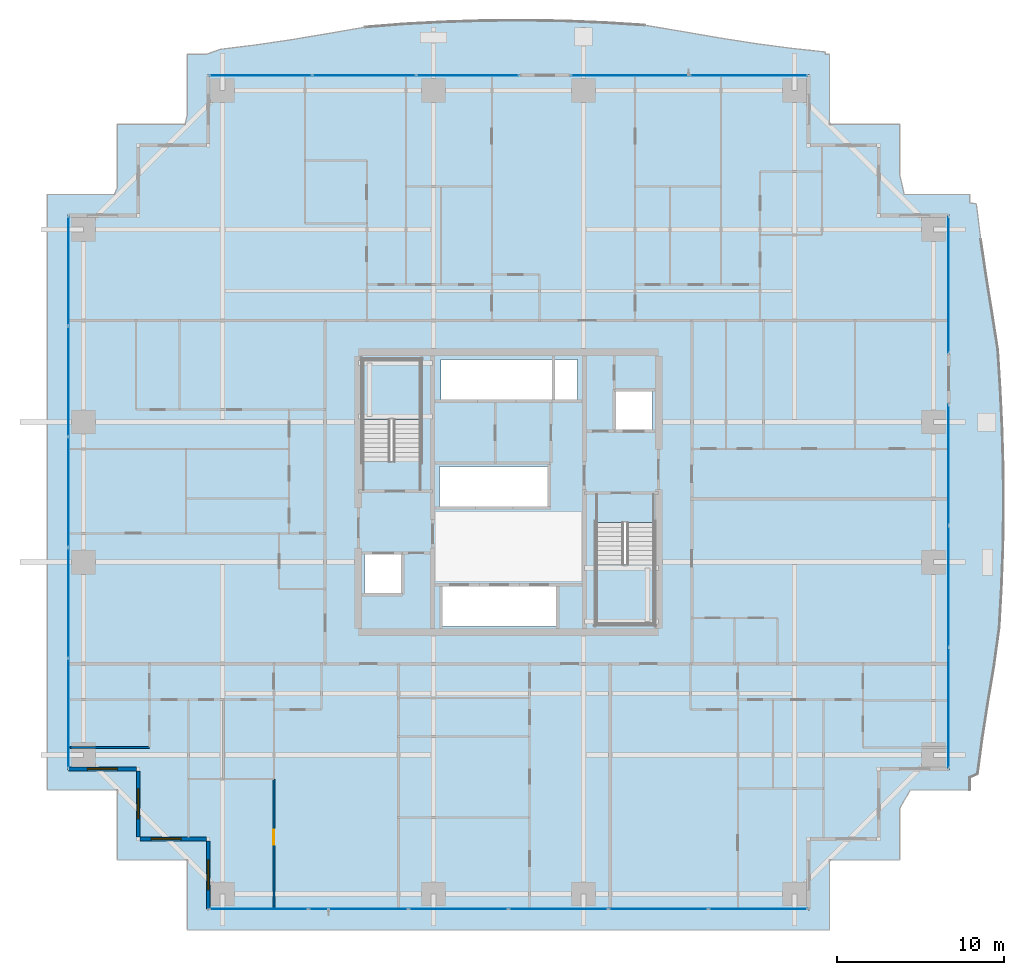
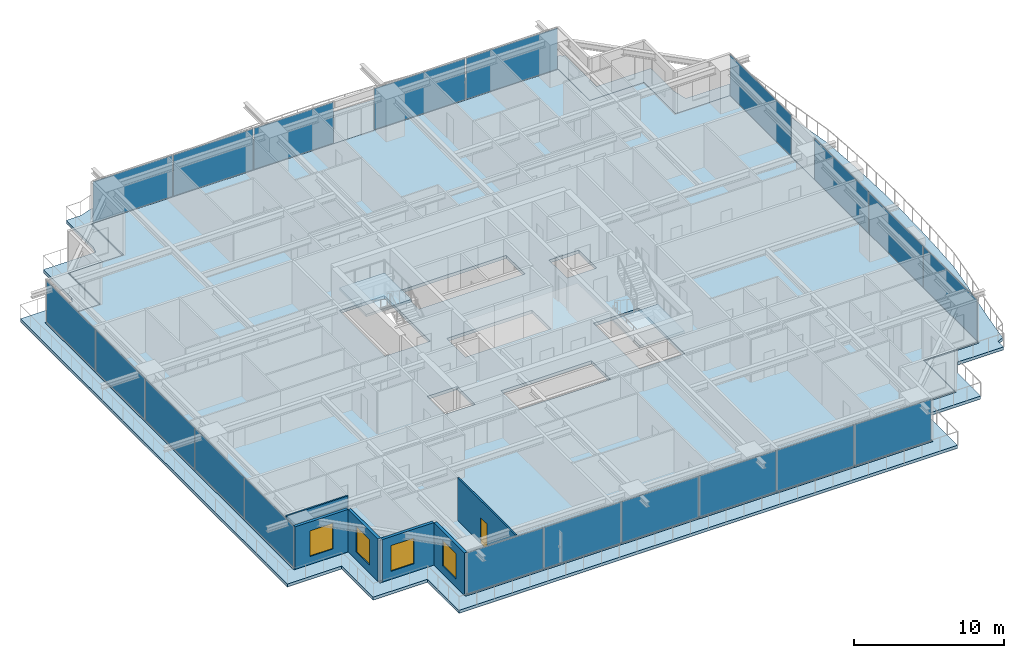
# One storey, part 25 of 38: 20 plates, 6 walls, 4 slabs, 4 windows, 1 door, 5 openings, 8 elements without a shape of their own.
"""IFC4 building model written with IfcOpenShell, lengths in metres."""

import ifcopenshell
import ifcopenshell.guid

model = None  # the IFC model being written
_history = None  # IfcOwnerHistory: only IFC2X3 demands one
_inside = {}  # id of a spatial element -> (the spatial element, [elements in it])
_under = {}  # id of a project, library or spatial element -> (it, [spatial elements below it])
_declared = {}  # id of a project -> (the project, [libraries it declares])
_typed = {}  # id of a type object -> (the type object, [elements of that type])
_made_of = {}  # id of a material, layer set ... -> (it, [elements and type objects made of it])


def new_model(schema):
    """Start an empty IFC model of exactly this schema.

    Asked for "IFC4X3", IfcOpenShell would pick the latest addendum, in which some entities
    have other attributes; the version numbers below select the first issue.
    IFC2X3 requires an IfcOwnerHistory on every rooted entity: one is made here for all.
    """
    global model, _history
    if schema == "IFC4X3":
        model = ifcopenshell.file(schema_version=(4, 3, 0, 0))
    else:
        model = ifcopenshell.file(schema=schema)
    _inside.clear()
    _under.clear()
    _declared.clear()
    _typed.clear()
    _made_of.clear()
    _history = None
    if model.schema == "IFC2X3":
        org = make("IfcOrganization", Name="unknown")
        user = make(
            "IfcPersonAndOrganization",
            ThePerson=make("IfcPerson", FamilyName="unknown"),
            TheOrganization=org,
        )
        app = make(
            "IfcApplication",
            ApplicationDeveloper=org,
            Version="unknown",
            ApplicationFullName="unknown",
            ApplicationIdentifier="unknown",
        )
        _history = make(
            "IfcOwnerHistory",
            OwningUser=user,
            OwningApplication=app,
            ChangeAction="ADDED",
            CreationDate=0,
        )
    return model


def make(cls, **values):
    """One entity of the class cls with the attributes given. An attribute that is None is left unset."""
    return model.create_entity(
        cls, **{name: value for name, value in values.items() if value is not None}
    )


def rooted(cls, **values):
    """An entity with a GlobalId (a new one), such as an element, a storey or a relation."""
    return make(cls, GlobalId=ifcopenshell.guid.new(), OwnerHistory=_history, **values)


def si_unit(unit_type, name, prefix=None):
    """IfcSIUnit, for example si_unit("LENGTHUNIT", "METRE", prefix="MILLI")."""
    return make("IfcSIUnit", UnitType=unit_type, Prefix=prefix, Name=name)


def assignment(units):
    """IfcUnitAssignment: the units of a project."""
    return None if units is None else make("IfcUnitAssignment", Units=units)


def point(xyz):
    """IfcCartesianPoint."""
    return None if xyz is None else make("IfcCartesianPoint", Coordinates=xyz)


def direction(xyz):
    """IfcDirection."""
    return None if xyz is None else make("IfcDirection", DirectionRatios=xyz)


def frame(location, z_axis=None, x_axis=None):
    """IfcAxis2Placement3D, a coordinate frame: its origin and axes. An axis left out is left unset."""
    return make(
        "IfcAxis2Placement3D",
        Location=point(location),
        Axis=direction(z_axis),
        RefDirection=direction(x_axis),
    )


def frame_2d(location, x_axis=None):
    """IfcAxis2Placement2D, a coordinate frame in the plane: its origin and x axis."""
    return make(
        "IfcAxis2Placement2D", Location=point(location), RefDirection=direction(x_axis)
    )


def origin():
    """The frame at (0, 0, 0) with its axes left unset."""
    return frame((0.0, 0.0, 0.0))


def origin_2d():
    """The frame at (0, 0) in the plane with its x axis left unset."""
    return frame_2d((0.0, 0.0))


def place(relative_to, where):
    """IfcLocalPlacement: puts the frame where relative to a parent placement (None: the world)."""
    return make(
        "IfcLocalPlacement", PlacementRelTo=relative_to, RelativePlacement=where
    )


def context(
    kind, dimensions, precision=None, world=None, true_north=None, identifier=None
):
    """IfcGeometricRepresentationContext, for example the 3D "Model" context."""
    return make(
        "IfcGeometricRepresentationContext",
        ContextIdentifier=identifier,
        ContextType=kind,
        CoordinateSpaceDimension=dimensions,
        Precision=precision,
        WorldCoordinateSystem=world,
        TrueNorth=true_north,
    )


def subcontext(parent, identifier, kind, view, scale=None):
    """IfcGeometricRepresentationSubContext, for example "Body" below "Model"."""
    return make(
        "IfcGeometricRepresentationSubContext",
        ContextIdentifier=identifier,
        ContextType=kind,
        ParentContext=parent,
        TargetScale=scale,
        TargetView=view,
    )


def project(units=None, contexts=None):
    """IfcProject with its units and contexts."""
    return rooted(
        "IfcProject",
        Name="project",
        RepresentationContexts=contexts,
        UnitsInContext=assignment(units),
    )


def spatial(cls, under=None, at=None, **own):
    """A site, building, storey or space (cls), placed at a placement, below another one or the project."""
    s = rooted(cls, ObjectPlacement=at, **own)
    if under is not None:
        _under.setdefault(under.id(), (under, []))[1].append(s)
    return s


def polyline(points):
    """IfcPolyline through the points."""
    return make("IfcPolyline", Points=[point(p) for p in points])


def profile(cls, at=None, kind="AREA", **sizes):
    """A parametric profile (cls). Its sizes go by their IFC names, for example OverallWidth=200.0."""
    return make(cls, ProfileType=kind, Position=at, **sizes)


def rectangle(**sizes):
    """IfcRectangleProfileDef."""
    return profile("IfcRectangleProfileDef", **sizes)


def outline(outer, holes=None, kind="AREA"):
    """IfcArbitraryClosedProfileDef: a profile drawn as a closed curve; with holes, ...WithVoids."""
    if holes is None:
        return make("IfcArbitraryClosedProfileDef", ProfileType=kind, OuterCurve=outer)
    return make(
        "IfcArbitraryProfileDefWithVoids",
        ProfileType=kind,
        OuterCurve=outer,
        InnerCurves=holes,
    )


def extrude(swept, where, along, depth):
    """IfcExtrudedAreaSolid: the profile swept, set in the frame where, extruded along a direction by depth."""
    return make(
        "IfcExtrudedAreaSolid",
        SweptArea=swept,
        Position=where,
        ExtrudedDirection=direction(along),
        Depth=depth,
    )


def shape(context_of_items, identifier, shape_type, items):
    """IfcShapeRepresentation: the items that make up one representation, for example the "Body"."""
    return make(
        "IfcShapeRepresentation",
        ContextOfItems=context_of_items,
        RepresentationIdentifier=identifier,
        RepresentationType=shape_type,
        Items=items,
    )


def source(mapping_origin, context_of_items, identifier, shape_type, items):
    """IfcRepresentationMap: a shape defined once, which mapped items show again and again."""
    return make(
        "IfcRepresentationMap",
        MappingOrigin=mapping_origin,
        MappedRepresentation=shape(context_of_items, identifier, shape_type, items),
    )


def transform(
    local_origin,
    x_axis=None,
    y_axis=None,
    z_axis=None,
    scale=None,
    scale2=None,
    scale3=None,
    uniform=True,
):
    """IfcCartesianTransformationOperator3D, or its non-uniform kind. x_axis, y_axis, z_axis: its Axis1, 2, 3."""
    if uniform:
        return make(
            "IfcCartesianTransformationOperator3D",
            Axis1=direction(x_axis),
            Axis2=direction(y_axis),
            LocalOrigin=point(local_origin),
            Scale=scale,
            Axis3=direction(z_axis),
        )
    return make(
        "IfcCartesianTransformationOperator3DnonUniform",
        Axis1=direction(x_axis),
        Axis2=direction(y_axis),
        LocalOrigin=point(local_origin),
        Scale=scale,
        Axis3=direction(z_axis),
        Scale2=scale2,
        Scale3=scale3,
    )


def mapped(mapping_source, mapping_target):
    """IfcMappedItem: shows the shape of a source again, moved by a transform."""
    return make(
        "IfcMappedItem", MappingSource=mapping_source, MappingTarget=mapping_target
    )


def material(Name=None, Category=None):
    """IfcMaterial."""
    return make("IfcMaterial", Name=Name, Category=Category)


def layer(
    of_material, thickness, ventilated=None, Name=None, Category=None, Priority=None
):
    """IfcMaterialLayer: one layer of a wall or slab, of a material (None: an air gap)."""
    return make(
        "IfcMaterialLayer",
        Material=of_material,
        LayerThickness=thickness,
        IsVentilated=ventilated,
        Name=Name,
        Category=Category,
        Priority=Priority,
    )


def layer_set(layers, Name=None):
    """IfcMaterialLayerSet."""
    return make("IfcMaterialLayerSet", MaterialLayers=layers, LayerSetName=Name)


def made_of(thing, what):
    """Note that an element or type object is made of a material, layer set ...; save() writes the relation."""
    if what is not None:
        _made_of.setdefault(what.id(), (what, []))[1].append(thing)
    return thing


def type_object(cls, material=None, **own):
    """A type object (cls), such as IfcWallType, which elements share."""
    return made_of(rooted(cls, **own), material)


def element(
    cls,
    number,
    at=None,
    inside=None,
    cuts=None,
    type_object=None,
    material=None,
    context=None,
    identifier="Body",
    shape_type=None,
    held_by="IfcProductDefinitionShape",
    body=None,
    shapes=None,
    **own,
):
    """One element of the class cls, such as IfcWall. Its Tag is "e" and its number.

    at: its placement. inside: the storey or other place that contains it. cuts: it is an
    opening in that element (IfcRelVoidsElement). A single representation is given by context,
    identifier, shape_type and body (its items); several are given by shapes. held_by: the class
    of the entity that holds the representations. save() writes the other relations.
    """
    e = rooted(cls, Tag="e%d" % number, ObjectPlacement=at, **own)
    if body is not None:
        shapes = [shape(context, identifier, shape_type, body)]
    if shapes is not None:
        e.Representation = make(held_by, Representations=shapes)
    if inside is not None:
        _inside.setdefault(inside.id(), (inside, []))[1].append(e)
    if cuts is not None:
        rooted(
            "IfcRelVoidsElement", RelatingBuildingElement=cuts, RelatedOpeningElement=e
        )
    if type_object is not None:
        _typed.setdefault(type_object.id(), (type_object, []))[1].append(e)
    return made_of(e, material)


def fill(opening, filler):
    """IfcRelFillsElement: the door or window that sits in an opening."""
    return rooted(
        "IfcRelFillsElement",
        RelatingOpeningElement=opening,
        RelatedBuildingElement=filler,
    )


def aggregate(whole, parts):
    """IfcRelAggregates: a whole, such as a stair, and the parts it consists of."""
    return rooted("IfcRelAggregates", RelatingObject=whole, RelatedObjects=parts)


def save(model, path):
    """Write the relations noted so far, then the file.

    IfcRelAggregates (storeys below a building ...), IfcRelContainedInSpatialStructure (elements
    in a storey), IfcRelDefinesByType, IfcRelAssociatesMaterial and IfcRelDeclares: one each for
    every whole, place, type object, material and project.
    """
    for whole, parts in _under.values():
        aggregate(whole, parts)
    for where, things in _inside.values():
        rooted(
            "IfcRelContainedInSpatialStructure",
            RelatedElements=things,
            RelatingStructure=where,
        )
    for kind, things in _typed.values():
        rooted("IfcRelDefinesByType", RelatedObjects=things, RelatingType=kind)
    for what, things in _made_of.values():
        rooted("IfcRelAssociatesMaterial", RelatedObjects=things, RelatingMaterial=what)
    for by, libraries in _declared.values():
        rooted("IfcRelDeclares", RelatingContext=by, RelatedDefinitions=libraries)
    model.write(path)


model = new_model("IFC4")

# Units and contexts
model_context = context("Model", 3, precision=1e-05, world=origin(), true_north=direction((0.0, 1.0)))
body_context = subcontext(model_context, "Body", "Model", "MODEL_VIEW")
ifc_project = project(units=[si_unit("LENGTHUNIT", "METRE"), si_unit("AREAUNIT", "SQUARE_METRE"), si_unit("VOLUMEUNIT", "CUBIC_METRE"), si_unit("PLANEANGLEUNIT", "RADIAN"), si_unit("MASSUNIT", "GRAM", prefix="KILO")], contexts=[model_context])

# Site, building, storey
site_placement = place(None, origin())
site = spatial("IfcSite", under=ifc_project, at=site_placement, CompositionType="ELEMENT")
building_placement = place(site_placement, origin())
building = spatial("IfcBuilding", under=site, at=building_placement, Name="Serunith Strait Residences", CompositionType="ELEMENT")
storey_placement = place(building_placement, frame((0.0, 0.0, 52.949951171875)))
storey = spatial("IfcBuildingStorey", under=building, at=storey_placement, Name="L12", CompositionType="ELEMENT", Elevation=52.949951171875)

# Slab
ifc_material_1 = material(Name="Concrete C50/60", Category="concrete")
ifc_layer_1 = layer(ifc_material_1, 0.239990234375, Name="Concrete C50/60")
ifc_layer_set_1 = layer_set([ifc_layer_1], Name="Concrete C50/60")
slab_type_1 = type_object("IfcSlabType", Name="SLB-BALC-240", PredefinedType="FLOOR", material=ifc_layer_set_1)
slab_1_placement = place(storey_placement, frame((0.0, 0.0, -0.2900390625)))
element("IfcSlab", 1, at=slab_1_placement, inside=storey, type_object=slab_type_1, Name="L12 Planted Vertical-Forest Balcony Slab", PredefinedType="FLOOR", context=body_context, shape_type="SweptSolid", body=[
    extrude(outline(polyline([(12.989990234375, 47.260009765625), (13.139892578125, 47.822998046875), (13.139892578125, 51.4599609375), (14.2685546875, 51.4599609375), (15.1171875, 51.761474609375), (17.244384765625, 52.0244140625), (19.389892578125, 52.341796875), (21.572021484375, 52.705810546875), (23.808837890625, 53.09326171875), (26.156982421875, 53.279541015625), (28.54541015625, 53.404052734375), (30.957763671875, 53.479736328125), (33.381103515625, 53.497802734375), (35.800048828125, 53.455810546875), (38.2001953125, 53.356201171875), (40.569091796875, 53.208251953125), (42.82666015625, 52.83251953125), (45.017578125, 52.4521484375), (47.16650390625, 52.113525390625), (49.29248046875, 51.830078125), (51.40966796875, 51.602294921875), (51.408447265625, 51.4599609375), (51.659912109375, 51.4599609375), (51.659912109375, 47.260009765625), (55.860107421875, 47.260009765625), (55.860107421875, 44.267333984375), (56.134521484375, 43.06005859375), (60.06005859375, 43.06005859375), (60.06005859375, 42.554931640625), (60.460693359375, 42.489990234375), (60.729248046875, 40.357177734375), (61.045654296875, 38.20263671875), (61.3994140625, 36.0107421875), (61.75048828125, 33.760498046875), (61.899169921875, 31.410888671875), (62.012451171875, 29.032470703125), (62.081298828125, 26.633544921875), (62.09814453125, 24.22509765625), (62.060791015625, 21.820068359375), (61.9716796875, 19.431396484375), (61.837890625, 17.069091796875), (61.5244140625, 14.793212890625), (61.15771484375, 12.59130859375), (60.82275390625, 10.432373046875), (60.53466796875, 8.2998046875), (60.06005859375, 8.0830078125), (60.06005859375, 7.340087890625), (56.501220703125, 7.340087890625), (55.860107421875, 6.223388671875), (55.860107421875, 3.139892578125), (51.659912109375, 3.139892578125), (51.659912109375, -1.06005859375), (13.139892578125, -1.06005859375), (13.139892578125, 3.139892578125), (8.93994140625, 3.139892578125), (8.93994140625, 7.340087890625), (4.739990234375, 7.340087890625), (4.739990234375, 43.06005859375), (8.7587890625, 43.06005859375), (8.93994140625, 43.457763671875), (8.93994140625, 47.260009765625), (12.989990234375, 47.260009765625)]), holes=[polyline([(50.455078125, 0.14501953125), (50.455078125, 4.344970703125), (54.655029296875, 4.344970703125), (54.655029296875, 8.544921875), (58.85498046875, 8.544921875), (58.85498046875, 41.85498046875), (54.655029296875, 41.85498046875), (54.655029296875, 46.054931640625), (50.455078125, 46.054931640625), (50.455078125, 50.2548828125), (14.344970703125, 50.2548828125), (14.344970703125, 46.054931640625), (10.14501953125, 46.054931640625), (10.14501953125, 41.85498046875), (5.945068359375, 41.85498046875), (5.945068359375, 8.544921875), (10.14501953125, 8.544921875), (10.14501953125, 4.344970703125), (14.344970703125, 4.344970703125), (14.344970703125, 0.14501953125), (50.455078125, 0.14501953125)])]), origin(), (0.0, 0.0, 1.0), 0.239990234375),
])

# Stair, slab
stair_type_1 = type_object("IfcStairType", Name="STR-CORE-1", PredefinedType="HALF_TURN_STAIR", material=ifc_material_1)
stair_1_placement = place(storey_placement, origin())
stair_1 = element("IfcStair", 2, at=stair_1_placement, inside=storey, type_object=stair_type_1, Name="L12 Protected Escape Stair ST-1", PredefinedType="HALF_TURN_STAIR")
ifc_layer_2 = layer(ifc_material_1, 0.199951171875, Name="Concrete C50/60")
ifc_layer_set_2 = layer_set([ifc_layer_2], Name="Concrete C50/60")
slab_type_2 = type_object("IfcSlabType", Name="SLB-LAND-200", PredefinedType="LANDING", material=ifc_layer_set_2)
slab_2_placement = place(storey_placement, frame((0.0, 0.0, 1.675048828125)))
slab_2 = element("IfcSlab", 3, at=slab_2_placement, type_object=slab_type_2, Name="ST-1 landing 1", PredefinedType="LANDING", context=body_context, shape_type="SweptSolid", body=[
    extrude(outline(polyline([(27.14990234375, 29.550048828125), (27.14990234375, 33.14990234375), (23.64990234375, 33.14990234375), (23.64990234375, 29.550048828125), (27.14990234375, 29.550048828125)])), origin(), (0.0, 0.0, 1.0), 0.199951171875),
])
aggregate(stair_1, [slab_2])

stair_type_2 = type_object("IfcStairType", Name="STR-CORE-2", PredefinedType="HALF_TURN_STAIR", material=ifc_material_1)
stair_2_placement = place(storey_placement, origin())
stair_2 = element("IfcStair", 4, at=stair_2_placement, inside=storey, type_object=stair_type_2, Name="L12 Protected Escape Stair ST-2", PredefinedType="HALF_TURN_STAIR")
slab_3_placement = place(storey_placement, frame((0.0, 0.0, 1.675048828125)))
slab_3 = element("IfcSlab", 5, at=slab_3_placement, type_object=slab_type_2, Name="ST-2 landing 1", PredefinedType="LANDING", context=body_context, shape_type="SweptSolid", body=[
    extrude(outline(polyline([(37.64990234375, 20.85009765625), (37.64990234375, 17.25), (41.14990234375, 17.25), (41.14990234375, 20.85009765625), (37.64990234375, 20.85009765625)])), origin(), (0.0, 0.0, 1.0), 0.199951171875),
])
aggregate(stair_2, [slab_3])

# Slab
ifc_material_2 = material(Name="Concrete C60/75", Category="concrete")
ifc_layer_3 = layer(ifc_material_2, 0.260009765625, Name="Concrete C60/75")
ifc_layer_set_3 = layer_set([ifc_layer_3], Name="Concrete C60/75")
slab_type_3 = type_object("IfcSlabType", Name="SLB-TWR-260-Z1", PredefinedType="FLOOR", material=ifc_layer_set_3)
slab_4_placement = place(storey_placement, frame((0.0, 0.0, -0.260009765625)))
element("IfcSlab", 6, at=slab_4_placement, inside=storey, type_object=slab_type_3, Name="L12 Structural Floor Plate", PredefinedType="FLOOR", context=body_context, shape_type="SweptSolid", body=[
    extrude(outline(polyline([(14.39990234375, 4.39990234375), (10.199951171875, 4.39990234375), (10.199951171875, 8.60009765625), (6.0, 8.60009765625), (6.0, 41.800048828125), (10.199951171875, 41.800048828125), (10.199951171875, 46.0), (14.39990234375, 46.0), (14.39990234375, 50.199951171875), (50.39990234375, 50.199951171875), (50.39990234375, 46.0), (54.60009765625, 46.0), (54.60009765625, 41.800048828125), (58.800048828125, 41.800048828125), (58.800048828125, 8.60009765625), (54.60009765625, 8.60009765625), (54.60009765625, 4.39990234375), (50.39990234375, 4.39990234375), (50.39990234375, 0.199951171875), (14.39990234375, 0.199951171875), (14.39990234375, 4.39990234375)]), holes=[polyline([(41.14990234375, 17.25), (41.14990234375, 23.3701171875), (37.64990234375, 23.3701171875), (37.64990234375, 17.25), (41.14990234375, 17.25)]), polyline([(41.050048828125, 31.25), (38.75, 31.25), (38.75, 28.85009765625), (41.050048828125, 28.85009765625), (41.050048828125, 31.25)]), polyline([(36.550048828125, 33.14990234375), (28.35009765625, 33.14990234375), (28.35009765625, 30.64990234375), (36.550048828125, 30.64990234375), (36.550048828125, 33.14990234375)]), polyline([(28.35009765625, 19.64990234375), (28.35009765625, 17.14990234375), (35.35009765625, 17.14990234375), (35.35009765625, 19.64990234375), (28.35009765625, 19.64990234375)]), polyline([(34.85009765625, 26.75), (28.25, 26.75), (28.25, 24.25), (34.85009765625, 24.25), (34.85009765625, 26.75)]), polyline([(23.64990234375, 33.14990234375), (23.64990234375, 27.030029296875), (27.14990234375, 27.030029296875), (27.14990234375, 33.14990234375), (23.64990234375, 33.14990234375)]), polyline([(26.050048828125, 21.550048828125), (23.75, 21.550048828125), (23.75, 19.14990234375), (26.050048828125, 19.14990234375), (26.050048828125, 21.550048828125)])]), origin(), (0.0, 0.0, 1.0), 0.260009765625),
])

# Curtain wall, plates
ifc_material_3 = material(Name="Pale-Champagne Anodised Aluminium", Category="aluminium")
ifc_layer_4 = layer(ifc_material_3, 0.199951171875, Name="Pale-Champagne Anodised Aluminium")
ifc_layer_set_4 = layer_set([ifc_layer_4], Name="Pale-Champagne Anodised Aluminium")
curtain_wall_type = type_object("IfcCurtainWallType", Name="CW-SYS1", PredefinedType="NOTDEFINED", material=ifc_layer_set_4)
curtain_wall_1_placement = place(storey_placement, origin())
curtain_wall_1 = element("IfcCurtainWall", 7, at=curtain_wall_1_placement, inside=storey, type_object=curtain_wall_type, Name="L12 S Unitised Fritted Curtain Wall", PredefinedType="NOTDEFINED")
ifc_material_4 = material(Name="Ceramic-Fritted Low-E Double Glazing 28mm", Category="glass")
ifc_layer_5 = layer(ifc_material_4, 0.028076171875, Name="Ceramic-Fritted Low-E Double Glazing 28mm")
ifc_layer_set_5 = layer_set([ifc_layer_5], Name="Ceramic-Fritted Low-E Double Glazing 28mm")
plate_type = type_object("IfcPlateType", Name="CW-SYS1-PNL", PredefinedType="CURTAIN_PANEL", material=ifc_layer_set_5)
shared_shape_1 = source(origin(), body_context, "Body", "SweptSolid", [
    extrude(rectangle(XDim=5.89501953125, YDim=0.028076171875, at=origin_2d()), origin(), (0.0, 0.0, 1.0), 3.35498046875),
])
plate_1_placement = place(storey_placement, frame((17.41748046875, 0.199951171875, 0.06005859375), z_axis=(0.0, 0.0, 1.0), x_axis=(1.0, 0.0, 0.0)))
plate_1 = element("IfcPlate", 8, at=plate_1_placement, type_object=plate_type, Name="CW-1 panel 1.1", PredefinedType="CURTAIN_PANEL", context=body_context, shape_type="MappedRepresentation", body=[
    mapped(shared_shape_1, transform((0.0, 0.0, 0.0), scale=1.0)),
])
plate_2_placement = place(storey_placement, frame((47.382568359375, 0.199951171875, 0.06005859375), z_axis=(0.0, 0.0, 1.0), x_axis=(1.0, 0.0, 0.0)))
plate_2 = element("IfcPlate", 9, at=plate_2_placement, type_object=plate_type, Name="CW-1 panel 6.1", PredefinedType="CURTAIN_PANEL", context=body_context, shape_type="MappedRepresentation", body=[
    mapped(shared_shape_1, transform((0.0, 0.0, 0.0), scale=1.0)),
])
shared_shape_2 = source(origin(), body_context, "Body", "SweptSolid", [
    extrude(rectangle(XDim=5.929931640625, YDim=0.028076171875, at=origin_2d()), origin(), (0.0, 0.0, 1.0), 3.35498046875),
])
plate_3_placement = place(storey_placement, frame((23.39990234375, 0.199951171875, 0.06005859375), z_axis=(0.0, 0.0, 1.0), x_axis=(1.0, 0.0, 0.0)))
plate_3 = element("IfcPlate", 10, at=plate_3_placement, type_object=plate_type, Name="CW-1 panel 2.1", PredefinedType="CURTAIN_PANEL", context=body_context, shape_type="MappedRepresentation", body=[
    mapped(shared_shape_2, transform((0.0, 0.0, 0.0), scale=1.0)),
])
plate_4_placement = place(storey_placement, frame((29.39990234375, 0.199951171875, 0.06005859375), z_axis=(0.0, 0.0, 1.0), x_axis=(1.0, 0.0, 0.0)))
plate_4 = element("IfcPlate", 11, at=plate_4_placement, type_object=plate_type, Name="CW-1 panel 3.1", PredefinedType="CURTAIN_PANEL", context=body_context, shape_type="MappedRepresentation", body=[
    mapped(shared_shape_2, transform((0.0, 0.0, 0.0), scale=1.0)),
])
plate_5_placement = place(storey_placement, frame((35.39990234375, 0.199951171875, 0.06005859375), z_axis=(0.0, 0.0, 1.0), x_axis=(1.0, 0.0, 0.0)))
plate_5 = element("IfcPlate", 12, at=plate_5_placement, type_object=plate_type, Name="CW-1 panel 4.1", PredefinedType="CURTAIN_PANEL", context=body_context, shape_type="MappedRepresentation", body=[
    mapped(shared_shape_2, transform((0.0, 0.0, 0.0), scale=1.0)),
])
plate_6_placement = place(storey_placement, frame((41.39990234375, 0.199951171875, 0.06005859375), z_axis=(0.0, 0.0, 1.0), x_axis=(1.0, 0.0, 0.0)))
plate_6 = element("IfcPlate", 13, at=plate_6_placement, type_object=plate_type, Name="CW-1 panel 5.1", PredefinedType="CURTAIN_PANEL", context=body_context, shape_type="MappedRepresentation", body=[
    mapped(shared_shape_2, transform((0.0, 0.0, 0.0), scale=1.0)),
])
aggregate(curtain_wall_1, [plate_1, plate_3, plate_4, plate_5, plate_6, plate_2])

curtain_wall_2_placement = place(storey_placement, origin())
curtain_wall_2 = element("IfcCurtainWall", 14, at=curtain_wall_2_placement, inside=storey, type_object=curtain_wall_type, Name="L12 W Unitised Fritted Curtain Wall", PredefinedType="NOTDEFINED")
shared_shape_3 = source(origin(), body_context, "Body", "SweptSolid", [
    extrude(rectangle(XDim=6.534912109375, YDim=0.028076171875, at=origin_2d()), origin(), (0.0, 0.0, 1.0), 3.35498046875),
])
plate_7_placement = place(storey_placement, frame((6.0, 38.46240234375, 0.06005859375), z_axis=(0.0, 0.0, 1.0), x_axis=(0.0, -1.0, 0.0)))
plate_7 = element("IfcPlate", 15, at=plate_7_placement, type_object=plate_type, Name="CW-1 panel 1.1", PredefinedType="CURTAIN_PANEL", context=body_context, shape_type="MappedRepresentation", body=[
    mapped(shared_shape_3, transform((0.0, 0.0, 0.0), scale=1.0)),
])
plate_8_placement = place(storey_placement, frame((6.0, 11.9375, 0.06005859375), z_axis=(0.0, 0.0, 1.0), x_axis=(0.0, -1.0, 0.0)))
plate_8 = element("IfcPlate", 16, at=plate_8_placement, type_object=plate_type, Name="CW-1 panel 5.1", PredefinedType="CURTAIN_PANEL", context=body_context, shape_type="MappedRepresentation", body=[
    mapped(shared_shape_3, transform((0.0, 0.0, 0.0), scale=1.0)),
])
shared_shape_4 = source(origin(), body_context, "Body", "SweptSolid", [
    extrude(rectangle(XDim=6.570068359375, YDim=0.028076171875, at=origin_2d()), origin(), (0.0, 0.0, 1.0), 3.35498046875),
])
plate_9_placement = place(storey_placement, frame((6.0, 31.840087890625, 0.06005859375), z_axis=(0.0, 0.0, 1.0), x_axis=(0.0, -1.0, 0.0)))
plate_9 = element("IfcPlate", 17, at=plate_9_placement, type_object=plate_type, Name="CW-1 panel 2.1", PredefinedType="CURTAIN_PANEL", context=body_context, shape_type="MappedRepresentation", body=[
    mapped(shared_shape_4, transform((0.0, 0.0, 0.0), scale=1.0)),
])
plate_10_placement = place(storey_placement, frame((6.0, 25.199951171875, 0.06005859375), z_axis=(0.0, 0.0, 1.0), x_axis=(0.0, -1.0, 0.0)))
plate_10 = element("IfcPlate", 18, at=plate_10_placement, type_object=plate_type, Name="CW-1 panel 3.1", PredefinedType="CURTAIN_PANEL", context=body_context, shape_type="MappedRepresentation", body=[
    mapped(shared_shape_4, transform((0.0, 0.0, 0.0), scale=1.0)),
])
plate_11_placement = place(storey_placement, frame((6.0, 18.56005859375, 0.06005859375), z_axis=(0.0, 0.0, 1.0), x_axis=(0.0, -1.0, 0.0)))
plate_11 = element("IfcPlate", 19, at=plate_11_placement, type_object=plate_type, Name="CW-1 panel 4.1", PredefinedType="CURTAIN_PANEL", context=body_context, shape_type="MappedRepresentation", body=[
    mapped(shared_shape_4, transform((0.0, 0.0, 0.0), scale=1.0)),
])
aggregate(curtain_wall_2, [plate_7, plate_9, plate_10, plate_11, plate_8])

# Curtain wall, plate
curtain_wall_3_placement = place(storey_placement, origin())
curtain_wall_3 = element("IfcCurtainWall", 20, at=curtain_wall_3_placement, inside=storey, type_object=curtain_wall_type, Name="L12 E Unitised Fritted Curtain Wall", PredefinedType="NOTDEFINED")
shared_shape_5 = source(origin(), body_context, "Body", "SweptSolid", [
    extrude(rectangle(XDim=8.159912109375, YDim=0.028076171875, at=origin_2d()), origin(), (0.0, 0.0, 1.0), 3.35498046875),
])
plate_12_placement = place(storey_placement, frame((58.800048828125, 37.64990234375, 0.06005859375), z_axis=(0.0, 0.0, 1.0), x_axis=(0.0, 1.0, 0.0)))
plate_12 = element("IfcPlate", 21, at=plate_12_placement, type_object=plate_type, Name="CW-1 panel 1.1", PredefinedType="CURTAIN_PANEL", context=body_context, shape_type="MappedRepresentation", body=[
    mapped(shared_shape_5, transform((0.0, 0.0, 0.0), scale=1.0)),
])
aggregate(curtain_wall_3, [plate_12])

# Curtain wall, plates
curtain_wall_4_placement = place(storey_placement, origin())
curtain_wall_4 = element("IfcCurtainWall", 22, at=curtain_wall_4_placement, inside=storey, type_object=curtain_wall_type, Name="L12 E Unitised Fritted Curtain Wall", PredefinedType="NOTDEFINED")
shared_shape_6 = source(origin(), body_context, "Body", "SweptSolid", [
    extrude(rectangle(XDim=7.195068359375, YDim=0.028076171875, at=origin_2d()), origin(), (0.0, 0.0, 1.0), 3.35498046875),
])
plate_13_placement = place(storey_placement, frame((58.800048828125, 12.267578125, 0.06005859375), z_axis=(0.0, 0.0, 1.0), x_axis=(0.0, 1.0, 0.0)))
plate_13 = element("IfcPlate", 23, at=plate_13_placement, type_object=plate_type, Name="CW-1 panel 1.1", PredefinedType="CURTAIN_PANEL", context=body_context, shape_type="MappedRepresentation", body=[
    mapped(shared_shape_6, transform((0.0, 0.0, 0.0), scale=1.0)),
])
plate_14_placement = place(storey_placement, frame((58.800048828125, 26.83251953125, 0.06005859375), z_axis=(0.0, 0.0, 1.0), x_axis=(0.0, 1.0, 0.0)))
plate_14 = element("IfcPlate", 24, at=plate_14_placement, type_object=plate_type, Name="CW-1 panel 3.1", PredefinedType="CURTAIN_PANEL", context=body_context, shape_type="MappedRepresentation", body=[
    mapped(shared_shape_6, transform((0.0, 0.0, 0.0), scale=1.0)),
])
shared_shape_7 = source(origin(), body_context, "Body", "SweptSolid", [
    extrude(rectangle(XDim=7.22998046875, YDim=0.028076171875, at=origin_2d()), origin(), (0.0, 0.0, 1.0), 3.35498046875),
])
plate_15_placement = place(storey_placement, frame((58.800048828125, 19.550048828125, 0.06005859375), z_axis=(0.0, 0.0, 1.0), x_axis=(0.0, 1.0, 0.0)))
plate_15 = element("IfcPlate", 25, at=plate_15_placement, type_object=plate_type, Name="CW-1 panel 2.1", PredefinedType="CURTAIN_PANEL", context=body_context, shape_type="MappedRepresentation", body=[
    mapped(shared_shape_7, transform((0.0, 0.0, 0.0), scale=1.0)),
])
aggregate(curtain_wall_4, [plate_13, plate_15, plate_14])

curtain_wall_5_placement = place(storey_placement, origin())
curtain_wall_5 = element("IfcCurtainWall", 26, at=curtain_wall_5_placement, inside=storey, type_object=curtain_wall_type, Name="L12 N Unitised Fritted Curtain Wall", PredefinedType="NOTDEFINED")
shared_shape_8 = source(origin(), body_context, "Body", "SweptSolid", [
    extrude(rectangle(XDim=7.044921875, YDim=0.028076171875, at=origin_2d()), origin(), (0.0, 0.0, 1.0), 3.35498046875),
])
plate_16_placement = place(storey_placement, frame((46.8076171875, 50.199951171875, 0.06005859375), z_axis=(0.0, 0.0, 1.0), x_axis=(-1.0, 0.0, 0.0)))
plate_16 = element("IfcPlate", 27, at=plate_16_placement, type_object=plate_type, Name="CW-1 panel 1.1", PredefinedType="CURTAIN_PANEL", context=body_context, shape_type="MappedRepresentation", body=[
    mapped(shared_shape_8, transform((0.0, 0.0, 0.0), scale=1.0)),
])
plate_17_placement = place(storey_placement, frame((39.6923828125, 50.199951171875, 0.06005859375), z_axis=(0.0, 0.0, 1.0), x_axis=(-1.0, 0.0, 0.0)))
plate_17 = element("IfcPlate", 28, at=plate_17_placement, type_object=plate_type, Name="CW-1 panel 2.1", PredefinedType="CURTAIN_PANEL", context=body_context, shape_type="MappedRepresentation", body=[
    mapped(shared_shape_8, transform((0.0, 0.0, 0.0), scale=1.0)),
])
aggregate(curtain_wall_5, [plate_16, plate_17])

curtain_wall_6_placement = place(storey_placement, origin())
curtain_wall_6 = element("IfcCurtainWall", 29, at=curtain_wall_6_placement, inside=storey, type_object=curtain_wall_type, Name="L12 N Unitised Fritted Curtain Wall", PredefinedType="NOTDEFINED")
shared_shape_9 = source(origin(), body_context, "Body", "SweptSolid", [
    extrude(rectangle(XDim=6.12841796875, YDim=0.028076171875, at=origin_2d()), origin(), (0.0, 0.0, 1.0), 3.35498046875),
])
plate_18_placement = place(storey_placement, frame((29.9658203125, 50.199951171875, 0.06005859375), z_axis=(0.0, 0.0, 1.0), x_axis=(-1.0, 0.0, 0.0)))
plate_18 = element("IfcPlate", 30, at=plate_18_placement, type_object=plate_type, Name="CW-1 panel 1.1", PredefinedType="CURTAIN_PANEL", context=body_context, shape_type="MappedRepresentation", body=[
    mapped(shared_shape_9, transform((0.0, 0.0, 0.0), scale=1.0)),
])
plate_19_placement = place(storey_placement, frame((17.5341796875, 50.199951171875, 0.06005859375), z_axis=(0.0, 0.0, 1.0), x_axis=(-1.0, 0.0, 0.0)))
plate_19 = element("IfcPlate", 31, at=plate_19_placement, type_object=plate_type, Name="CW-1 panel 3.1", PredefinedType="CURTAIN_PANEL", context=body_context, shape_type="MappedRepresentation", body=[
    mapped(shared_shape_9, transform((0.0, 0.0, 0.0), scale=1.0)),
])
shared_shape_10 = source(origin(), body_context, "Body", "SweptSolid", [
    extrude(rectangle(XDim=6.163330078125, YDim=0.028076171875, at=origin_2d()), origin(), (0.0, 0.0, 1.0), 3.35498046875),
])
plate_20_placement = place(storey_placement, frame((23.75, 50.199951171875, 0.06005859375), z_axis=(0.0, 0.0, 1.0), x_axis=(-1.0, 0.0, 0.0)))
plate_20 = element("IfcPlate", 32, at=plate_20_placement, type_object=plate_type, Name="CW-1 panel 2.1", PredefinedType="CURTAIN_PANEL", context=body_context, shape_type="MappedRepresentation", body=[
    mapped(shared_shape_10, transform((0.0, 0.0, 0.0), scale=1.0)),
])
aggregate(curtain_wall_6, [plate_18, plate_20, plate_19])

# Wall, opening, window
ifc_material_5 = material(Name="Pale-Champagne Aluminium Insulated Panel", Category="aluminium")
ifc_layer_6 = layer(ifc_material_5, 0.219970703125, Name="Pale-Champagne Aluminium Insulated Panel")
ifc_layer_set_6 = layer_set([ifc_layer_6], Name="Pale-Champagne Aluminium Insulated Panel")
wall_type_1 = type_object("IfcWallType", Name="EW-ALUM-220", PredefinedType="ELEMENTEDWALL", material=ifc_layer_set_6)
wall_1_placement = place(storey_placement, frame((6.0, 8.60009765625, 0.0), z_axis=(0.0, 0.0, 1.0), x_axis=(1.0, 0.0, 0.0)))
wall_1 = element("IfcWall", 33, at=wall_1_placement, inside=storey, type_object=wall_type_1, Name="L12 Girih Serrated Corner Wall 17", PredefinedType="ELEMENTEDWALL", context=body_context, shape_type="SweptSolid", body=[
    extrude(rectangle(XDim=4.090087890625, YDim=0.219970703125, at=frame_2d((2.044921875, 0.0))), origin(), (0.0, 0.0, 1.0), 3.47509765625),
])
opening_1_placement = place(wall_1_placement, frame((1.14501953125, 0.0, 0.64990234375)))
opening_1 = element("IfcOpeningElement", 34, at=opening_1_placement, cuts=wall_1, Name="Opening W-01", PredefinedType="OPENING", context=body_context, shape_type="SweptSolid", body=[
    extrude(rectangle(XDim=1.800048828125, YDim=2.10009765625, at=frame_2d((0.89990234375, 1.050048828125))), frame((0.0, 0.1201171875, 0.0), z_axis=(0.0, -1.0, 0.0), x_axis=(1.0, 0.0, 0.0)), (0.0, 0.0, 1.0), 0.239990234375),
])
ifc_material_6 = material(Name="Ceramic-Fritted Operable Aluminium Window Glass", Category="aluminium")
window_type = type_object("IfcWindowType", Name="WIN-C1", PartitioningType="DOUBLE_PANEL_VERTICAL", PredefinedType="WINDOW", material=ifc_material_6)
shared_shape_11 = source(origin(), body_context, "Body", "SweptSolid", [
    extrude(rectangle(XDim=1.800048828125, YDim=2.10009765625, at=frame_2d((0.89990234375, 1.050048828125))), frame((0.0, 0.030029296875, 0.0), z_axis=(0.0, -1.0, 0.0), x_axis=(1.0, 0.0, 0.0)), (0.0, 0.0, 1.0), 0.06005859375),
])
window_1_placement = place(opening_1_placement, origin())
window_1 = element("IfcWindow", 35, at=window_1_placement, inside=storey, type_object=window_type, Name="L12 Corner Operable Fritted Window 17", OverallHeight=2.10009765625, OverallWidth=1.800048828125, PartitioningType="SINGLE_PANEL", PredefinedType="WINDOW", context=body_context, shape_type="MappedRepresentation", body=[
    mapped(shared_shape_11, transform((0.0, 0.0, 0.0), scale=1.0)),
])
fill(opening_1, window_1)

wall_2_placement = place(storey_placement, frame((10.199951171875, 8.489990234375, 0.0), z_axis=(0.0, 0.0, 1.0), x_axis=(0.0, -1.0, 0.0)))
wall_2 = element("IfcWall", 36, at=wall_2_placement, inside=storey, type_object=wall_type_1, Name="L12 Girih Serrated Corner Wall 18", PredefinedType="ELEMENTEDWALL", context=body_context, shape_type="SweptSolid", body=[
    extrude(rectangle(XDim=3.97998046875, YDim=0.219970703125, at=frame_2d((1.989990234375, 0.0))), origin(), (0.0, 0.0, 1.0), 3.47509765625),
])
opening_2_placement = place(wall_2_placement, frame((1.090087890625, 0.0, 0.64990234375)))
opening_2 = element("IfcOpeningElement", 37, at=opening_2_placement, cuts=wall_2, Name="Opening W-01", PredefinedType="OPENING", context=body_context, shape_type="SweptSolid", body=[
    extrude(rectangle(XDim=1.800048828125, YDim=2.10009765625, at=frame_2d((0.89990234375, 1.050048828125))), frame((0.0, 0.1201171875, 0.0), z_axis=(0.0, -1.0, 0.0), x_axis=(1.0, 0.0, 0.0)), (0.0, 0.0, 1.0), 0.239990234375),
])
window_2_placement = place(opening_2_placement, origin())
window_2 = element("IfcWindow", 38, at=window_2_placement, inside=storey, type_object=window_type, Name="L12 Corner Operable Fritted Window 18", OverallHeight=2.10009765625, OverallWidth=1.800048828125, PartitioningType="SINGLE_PANEL", PredefinedType="WINDOW", context=body_context, shape_type="MappedRepresentation", body=[
    mapped(shared_shape_11, transform((0.0, 0.0, 0.0), scale=1.0)),
])
fill(opening_2, window_2)

wall_3_placement = place(storey_placement, frame((10.31005859375, 4.39990234375, 0.0), z_axis=(0.0, 0.0, 1.0), x_axis=(1.0, 0.0, 0.0)))
wall_3 = element("IfcWall", 39, at=wall_3_placement, inside=storey, type_object=wall_type_1, Name="L12 Girih Serrated Corner Wall 19", PredefinedType="ELEMENTEDWALL", context=body_context, shape_type="SweptSolid", body=[
    extrude(rectangle(XDim=3.97998046875, YDim=0.219970703125, at=frame_2d((1.989990234375, 0.0))), origin(), (0.0, 0.0, 1.0), 3.47509765625),
])
opening_3_placement = place(wall_3_placement, frame((0.654052734375, 0.0, 0.64990234375)))
opening_3 = element("IfcOpeningElement", 40, at=opening_3_placement, cuts=wall_3, Name="Opening W-01", PredefinedType="OPENING", context=body_context, shape_type="SweptSolid", body=[
    extrude(rectangle(XDim=1.800048828125, YDim=2.10009765625, at=frame_2d((0.89990234375, 1.050048828125))), frame((0.0, 0.1201171875, 0.0), z_axis=(0.0, -1.0, 0.0), x_axis=(1.0, 0.0, 0.0)), (0.0, 0.0, 1.0), 0.239990234375),
])
window_3_placement = place(opening_3_placement, origin())
window_3 = element("IfcWindow", 41, at=window_3_placement, inside=storey, type_object=window_type, Name="L12 Corner Operable Fritted Window 19", OverallHeight=2.10009765625, OverallWidth=1.800048828125, PartitioningType="SINGLE_PANEL", PredefinedType="WINDOW", context=body_context, shape_type="MappedRepresentation", body=[
    mapped(shared_shape_11, transform((0.0, 0.0, 0.0), scale=1.0)),
])
fill(opening_3, window_3)

wall_4_placement = place(storey_placement, frame((14.39990234375, 4.2900390625, 0.0), z_axis=(0.0, 0.0, 1.0), x_axis=(0.0, -1.0, 0.0)))
wall_4 = element("IfcWall", 42, at=wall_4_placement, inside=storey, type_object=wall_type_1, Name="L12 Girih Serrated Corner Wall 20", PredefinedType="ELEMENTEDWALL", context=body_context, shape_type="SweptSolid", body=[
    extrude(rectangle(XDim=4.090087890625, YDim=0.219970703125, at=frame_2d((2.044921875, 0.0))), origin(), (0.0, 0.0, 1.0), 3.47509765625),
])
opening_4_placement = place(wall_4_placement, frame((1.14501953125, 0.0, 0.64990234375)))
opening_4 = element("IfcOpeningElement", 43, at=opening_4_placement, cuts=wall_4, Name="Opening W-01", PredefinedType="OPENING", context=body_context, shape_type="SweptSolid", body=[
    extrude(rectangle(XDim=1.800048828125, YDim=2.10009765625, at=frame_2d((0.89990234375, 1.050048828125))), frame((0.0, 0.1201171875, 0.0), z_axis=(0.0, -1.0, 0.0), x_axis=(1.0, 0.0, 0.0)), (0.0, 0.0, 1.0), 0.239990234375),
])
window_4_placement = place(opening_4_placement, origin())
window_4 = element("IfcWindow", 44, at=window_4_placement, inside=storey, type_object=window_type, Name="L12 Corner Operable Fritted Window 20", OverallHeight=2.10009765625, OverallWidth=1.800048828125, PartitioningType="SINGLE_PANEL", PredefinedType="WINDOW", context=body_context, shape_type="MappedRepresentation", body=[
    mapped(shared_shape_11, transform((0.0, 0.0, 0.0), scale=1.0)),
])
fill(opening_4, window_4)

# Wall, opening, door
ifc_material_7 = material(Name="Lightweight steel-stud gypsum partition", Category="steel")
ifc_layer_7 = layer(ifc_material_7, 0.1201171875, Name="Lightweight steel-stud gypsum partition")
ifc_layer_set_7 = layer_set([ifc_layer_7], Name="Lightweight steel-stud gypsum partition")
wall_type_2 = type_object("IfcWallType", Name="IW-PART-120", PredefinedType="PARTITIONING", material=ifc_layer_set_7)
wall_5_placement = place(storey_placement, frame((18.330078125, 0.294921875, 0.0), z_axis=(0.0, 0.0, 1.0), x_axis=(0.0, 1.0, 0.0)))
wall_5 = element("IfcWall", 45, at=wall_5_placement, inside=storey, type_object=wall_type_2, Name="L12 Partition Wall 029", PredefinedType="PARTITIONING", context=body_context, shape_type="SweptSolid", body=[
    extrude(rectangle(XDim=7.70703125, YDim=0.1201171875, at=frame_2d((3.853515625, 0.0))), origin(), (0.0, 0.0, 1.0), 3.489990234375),
])
opening_5_placement = place(wall_5_placement, frame((3.743896484375, 0.0, 0.0)))
opening_5 = element("IfcOpeningElement", 46, at=opening_5_placement, cuts=wall_5, Name="Opening D-RM900", PredefinedType="OPENING", context=body_context, shape_type="SweptSolid", body=[
    extrude(rectangle(XDim=0.89990234375, YDim=2.10009765625, at=frame_2d((0.449951171875, 1.050048828125))), frame((0.0, 0.070068359375, 0.0), z_axis=(0.0, -1.0, 0.0), x_axis=(1.0, 0.0, 0.0)), (0.0, 0.0, 1.0), 0.14013671875),
])
ifc_material_8 = material(Name="Engineered timber flush bedroom door", Category="wood")
door_type = type_object("IfcDoorType", Name="ID-ROOM-900", OperationType="NOTDEFINED", PredefinedType="DOOR", material=ifc_material_8)
shared_shape_12 = source(origin(), body_context, "Body", "SweptSolid", [
    extrude(rectangle(XDim=0.89990234375, YDim=2.10009765625, at=frame_2d((0.449951171875, 1.050048828125))), frame((0.0, 0.02490234375, 0.0), z_axis=(0.0, -1.0, 0.0), x_axis=(1.0, 0.0, 0.0)), (0.0, 0.0, 1.0), 0.050048828125),
])
door_placement = place(opening_5_placement, origin())
door = element("IfcDoor", 47, at=door_placement, inside=storey, type_object=door_type, Name="L12 Formal Dining Room 1 1201 Door", OperationType="SINGLE_SWING_RIGHT", OverallHeight=2.10009765625, OverallWidth=0.89990234375, PredefinedType="DOOR", context=body_context, shape_type="MappedRepresentation", body=[
    mapped(shared_shape_12, transform((0.0, 0.0, 0.0), scale=1.0)),
])
fill(opening_5, door)

# Wall
wall_6_placement = place(storey_placement, frame((6.094970703125, 9.89404296875, 0.0), z_axis=(0.0, 0.0, 1.0), x_axis=(1.0, 0.0, 0.0)))
element("IfcWall", 48, at=wall_6_placement, inside=storey, type_object=wall_type_2, Name="L12 Partition Wall 037", PredefinedType="PARTITIONING", context=body_context, shape_type="SweptSolid", body=[
    extrude(rectangle(XDim=4.775146484375, YDim=0.1201171875, at=frame_2d((2.3876953125, 0.0))), origin(), (0.0, 0.0, 1.0), 3.489990234375),
])

save(model, "model.ifc")
